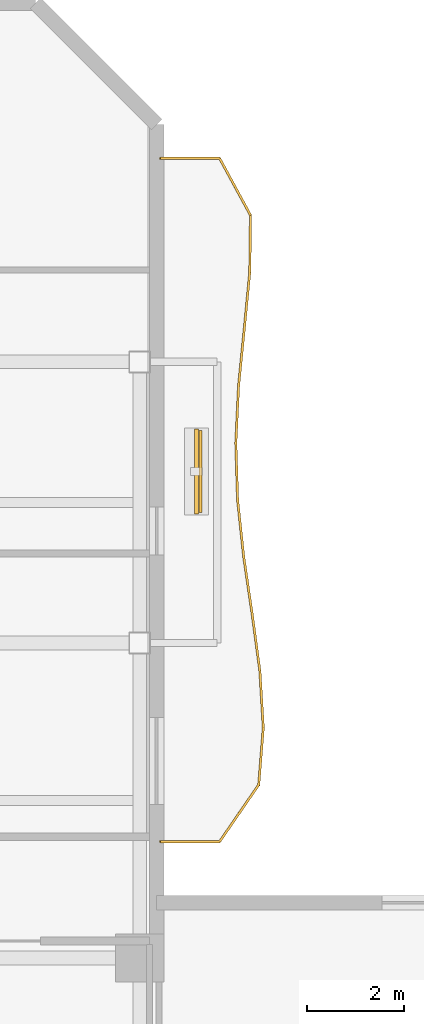
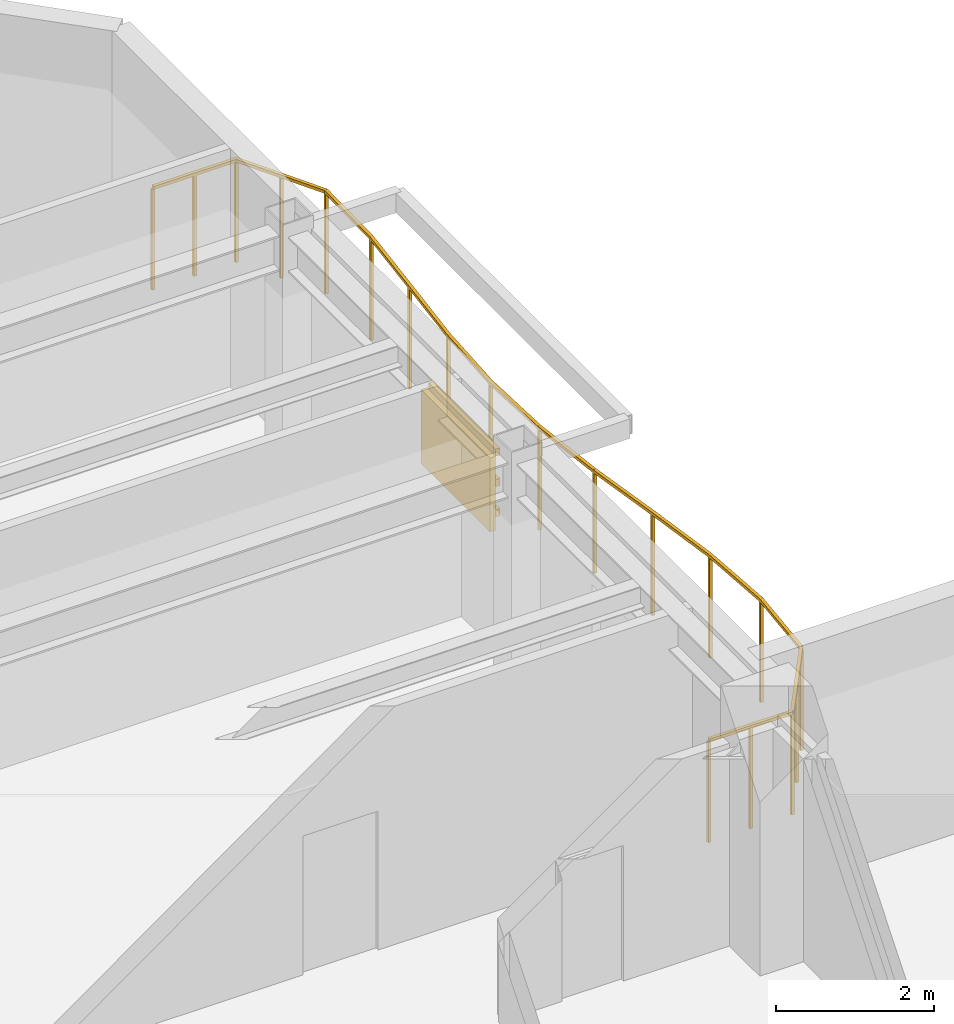
# One storey, part 9 of 9: 4 shading devices, 1 railing.
"""IFC4 building model written with IfcOpenShell, lengths in metres."""

from ifc_helpers import new_model, si_unit, direction, frame, origin, origin_2d, place, context, subcontext, project, spatial, rectangle, extrude, material, layer, layer_set, material_profile, profile_set, type_object, element, save


model = new_model("IFC4")

# Units and contexts
model_context = context("Model", 3, precision=1e-05, world=origin(), true_north=direction((0.0, 1.0)))
body_context = subcontext(model_context, "Body", "Model", "MODEL_VIEW")
ifc_project = project(units=[si_unit("LENGTHUNIT", "METRE"), si_unit("AREAUNIT", "SQUARE_METRE"), si_unit("VOLUMEUNIT", "CUBIC_METRE"), si_unit("PLANEANGLEUNIT", "RADIAN"), si_unit("MASSUNIT", "GRAM", prefix="KILO")], contexts=[model_context])

# Site, building, storey
site_placement = place(None, origin())
site = spatial("IfcSite", under=ifc_project, at=site_placement, CompositionType="ELEMENT")
building_placement = place(site_placement, origin())
building = spatial("IfcBuilding", under=site, at=building_placement, Name="Mawjaban Terraces University", CompositionType="ELEMENT")
storey_placement = place(building_placement, frame((0.0, 0.0, 175.800048828125)))
storey = spatial("IfcBuildingStorey", under=building, at=storey_placement, Name="L42", CompositionType="ELEMENT", Elevation=175.800048828125)

# Railing
ifc_material_1 = material(Name="Galvanised powder-coated steel S355", Category="steel")
railing_type = type_object("IfcRailingType", Name="BalconyBalustrade_1600", PredefinedType="BALUSTRADE", material=ifc_material_1)
railing_placement = place(storey_placement, frame((38.080078125, 25.89990234375, 0.0)))
element("IfcRailing", 1, at=railing_placement, inside=storey, type_object=railing_type, Name="L42 Balcony Guardrail inner_east", PredefinedType="BALUSTRADE", context=body_context, shape_type="SweptSolid", body=[
    extrude(rectangle(XDim=0.048095703125, YDim=0.048095703125, at=origin_2d()), frame((0.0, 0.0, 1.576171875), z_axis=(1.0, 0.0, 0.0), x_axis=(0.0, 1.0, 0.0)), (0.0, 0.0, 1.0), 1.219970703125),
    extrude(rectangle(XDim=0.048095703125, YDim=0.048095703125, at=origin_2d()), frame((1.219970703125, 0.0, 1.576171875), z_axis=(0.5665360891, 0.824036928631, 0.0), x_axis=(-0.824036928631, 0.5665360891, 0.0)), (0.0, 0.0, 1.0), 1.426025390625),
    extrude(rectangle(XDim=0.048095703125, YDim=0.048095703125, at=origin_2d()), frame((2.02783203125, 1.175048828125, 1.576171875), z_axis=(0.0797369906, 0.996815937037, 0.0), x_axis=(-0.996815937037, 0.0797369906, 0.0)), (0.0, 0.0, 1.0), 1.1787109375),
    extrude(rectangle(XDim=0.048095703125, YDim=0.048095703125, at=origin_2d()), frame((2.121826171875, 2.35009765625, 1.576171875), z_axis=(-0.060144402488, 0.998189686808, 0.0), x_axis=(-0.998189686808, -0.060144402488, 0.0)), (0.0, 0.0, 1.0), 1.17724609375),
    extrude(rectangle(XDim=0.048095703125, YDim=0.048095703125, at=origin_2d()), frame((2.051025390625, 3.525146484375, 1.576171875), z_axis=(-0.13424031214, 0.990948807253, 0.0), x_axis=(-0.990948807253, -0.13424031214, 0.0)), (0.0, 0.0, 1.0), 1.185791015625),
    extrude(rectangle(XDim=0.048095703125, YDim=0.048095703125, at=origin_2d()), frame((1.891845703125, 4.7001953125, 1.576171875), z_axis=(-0.146369849287, 0.989229936476, 0.0), x_axis=(-0.989229936476, -0.146369849287, 0.0)), (0.0, 0.0, 1.0), 1.1875),
    extrude(rectangle(XDim=0.048095703125, YDim=0.048095703125, at=origin_2d()), frame((1.718017578125, 5.875, 1.576171875), z_axis=(-0.106598772665, 0.994302117903, 0.0), x_axis=(-0.994302117903, -0.106598772665, 0.0)), (0.0, 0.0, 1.0), 1.181884765625),
    extrude(rectangle(XDim=0.048095703125, YDim=0.048095703125, at=origin_2d()), frame((1.592041015625, 7.050048828125, 1.576171875), z_axis=(-0.031565397191, 0.999501688693, 0.0), x_axis=(-0.999501688693, -0.031565397191, 0.0)), (0.0, 0.0, 1.0), 1.175537109375),
    extrude(rectangle(XDim=0.048095703125, YDim=0.048095703125, at=origin_2d()), frame((1.554931640625, 8.22509765625, 1.576171875), z_axis=(0.048353927214, 0.998830264721, 0.0), x_axis=(-0.998830264721, 0.048353927214, 0.0)), (0.0, 0.0, 1.0), 1.176513671875),
    extrude(rectangle(XDim=0.048095703125, YDim=0.048095703125, at=origin_2d()), frame((1.61181640625, 9.400146484375, 1.576171875), z_axis=(0.099237608015, 0.995063765372, 0.0), x_axis=(-0.995063765372, 0.099237608015, 0.0)), (0.0, 0.0, 1.0), 1.180908203125),
    extrude(rectangle(XDim=0.048095703125, YDim=0.048095703125, at=origin_2d()), frame((1.72900390625, 10.5751953125, 1.576171875), z_axis=(0.096595218293, 0.995323748236, 0.0), x_axis=(-0.995323748236, 0.096595218293, 0.0)), (0.0, 0.0, 1.0), 1.180419921875),
    extrude(rectangle(XDim=0.048095703125, YDim=0.048095703125, at=origin_2d()), frame((1.843017578125, 11.75, 1.576171875), z_axis=(0.012672990102, 0.999919694436, 0.0), x_axis=(-0.999919694436, 0.012672990102, 0.0)), (0.0, 0.0, 1.0), 1.175048828125),
    extrude(rectangle(XDim=0.048095703125, YDim=0.048095703125, at=origin_2d()), frame((1.85791015625, 12.925048828125, 1.576171875), z_axis=(-0.477124099002, 0.878835931304, 0.0), x_axis=(-0.878835931304, -0.477124099002, 0.0)), (0.0, 0.0, 1.0), 1.337158203125),
    extrude(rectangle(XDim=0.048095703125, YDim=0.048095703125, at=origin_2d()), frame((1.219970703125, 14.10009765625, 1.576171875), z_axis=(-1.0, 0.0, 0.0), x_axis=(0.0, -1.0, 0.0)), (0.0, 0.0, 1.0), 1.219970703125),
    extrude(rectangle(XDim=0.0419921875, YDim=0.0419921875, at=origin_2d()), origin(), (0.0, 0.0, 1.0), 1.552001953125),
    extrude(rectangle(XDim=0.0419921875, YDim=0.0419921875, at=origin_2d()), frame((0.60986328125, 0.0, 0.0)), (0.0, 0.0, 1.0), 1.552001953125),
    extrude(rectangle(XDim=0.0419921875, YDim=0.0419921875, at=origin_2d()), frame((1.219970703125, 0.0, 0.0)), (0.0, 0.0, 1.0), 1.552001953125),
    extrude(rectangle(XDim=0.0419921875, YDim=0.0419921875, at=origin_2d()), frame((1.6240234375, 0.58740234375, 0.0)), (0.0, 0.0, 1.0), 1.552001953125),
    extrude(rectangle(XDim=0.0419921875, YDim=0.0419921875, at=origin_2d()), frame((2.02783203125, 1.175048828125, 0.0)), (0.0, 0.0, 1.0), 1.552001953125),
    extrude(rectangle(XDim=0.0419921875, YDim=0.0419921875, at=origin_2d()), frame((2.121826171875, 2.35009765625, 0.0)), (0.0, 0.0, 1.0), 1.552001953125),
    extrude(rectangle(XDim=0.0419921875, YDim=0.0419921875, at=origin_2d()), frame((2.051025390625, 3.525146484375, 0.0)), (0.0, 0.0, 1.0), 1.552001953125),
    extrude(rectangle(XDim=0.0419921875, YDim=0.0419921875, at=origin_2d()), frame((1.891845703125, 4.7001953125, 0.0)), (0.0, 0.0, 1.0), 1.552001953125),
    extrude(rectangle(XDim=0.0419921875, YDim=0.0419921875, at=origin_2d()), frame((1.718017578125, 5.875, 0.0)), (0.0, 0.0, 1.0), 1.552001953125),
    extrude(rectangle(XDim=0.0419921875, YDim=0.0419921875, at=origin_2d()), frame((1.592041015625, 7.050048828125, 0.0)), (0.0, 0.0, 1.0), 1.552001953125),
    extrude(rectangle(XDim=0.0419921875, YDim=0.0419921875, at=origin_2d()), frame((1.554931640625, 8.22509765625, 0.0)), (0.0, 0.0, 1.0), 1.552001953125),
    extrude(rectangle(XDim=0.0419921875, YDim=0.0419921875, at=origin_2d()), frame((1.61181640625, 9.400146484375, 0.0)), (0.0, 0.0, 1.0), 1.552001953125),
    extrude(rectangle(XDim=0.0419921875, YDim=0.0419921875, at=origin_2d()), frame((1.72900390625, 10.5751953125, 0.0)), (0.0, 0.0, 1.0), 1.552001953125),
    extrude(rectangle(XDim=0.0419921875, YDim=0.0419921875, at=origin_2d()), frame((1.843017578125, 11.75, 0.0)), (0.0, 0.0, 1.0), 1.552001953125),
    extrude(rectangle(XDim=0.0419921875, YDim=0.0419921875, at=origin_2d()), frame((1.85791015625, 12.925048828125, 0.0)), (0.0, 0.0, 1.0), 1.552001953125),
    extrude(rectangle(XDim=0.0419921875, YDim=0.0419921875, at=origin_2d()), frame((1.5390625, 13.5126953125, 0.0)), (0.0, 0.0, 1.0), 1.552001953125),
    extrude(rectangle(XDim=0.0419921875, YDim=0.0419921875, at=origin_2d()), frame((1.219970703125, 14.10009765625, 0.0)), (0.0, 0.0, 1.0), 1.552001953125),
    extrude(rectangle(XDim=0.0419921875, YDim=0.0419921875, at=origin_2d()), frame((0.60986328125, 14.10009765625, 0.0)), (0.0, 0.0, 1.0), 1.552001953125),
    extrude(rectangle(XDim=0.0419921875, YDim=0.0419921875, at=origin_2d()), frame((0.0, 14.10009765625, 0.0)), (0.0, 0.0, 1.0), 1.552001953125),
])

# Shading devices
ifc_material_2 = material(Name="Glazed architectural terracotta ceramic", Category="masonry")
ifc_material_profile = material_profile(ifc_material_2, rectangle(XDim=0.06494140625, YDim=0.110107421875, at=origin_2d()), Name="TBAG110X65")
ifc_profile_set = profile_set([ifc_material_profile], Name="Glazed architectural terracotta ceramic")
shading_device_type_1 = type_object("IfcShadingDeviceType", Name="TerracottaBaguette_110x65", PredefinedType="USERDEFINED", material=ifc_profile_set)
for number, where, z_axis, x_axis, name in (
    (2, (38.906982421875, 32.68798828125, 0.679931640625), (0.0, 1.0, 0.0), (-1.0, 0.0, 0.0), "L42 Horizontal Terracotta Baguette inner_east.1"),
    (3, (38.906982421875, 32.68798828125, 1.14990234375), (0.0, 1.0, 0.0), (-1.0, 0.0, 0.0), "L42 Horizontal Terracotta Baguette inner_east.2"),
    (4, (38.906982421875, 32.68798828125, 1.619873046875), (0.0, 1.0, 0.0), (-1.0, 0.0, 0.0), "L42 Horizontal Terracotta Baguette inner_east.3"),
):
    element("IfcShadingDevice", number, at=place(storey_placement, frame(where, z_axis=z_axis, x_axis=x_axis)), inside=storey, type_object=shading_device_type_1, Name=name, ObjectType="BAGUETTE", PredefinedType="USERDEFINED", context=body_context, shape_type="SweptSolid", body=[
        extrude(rectangle(XDim=0.06494140625, YDim=0.110107421875, at=origin_2d()), origin(), (0.0, 0.0, 1.0), 1.699951171875),
    ])
ifc_layer = layer(ifc_material_2, 0.080078125)
ifc_layer_set = layer_set([ifc_layer], Name="Glazed architectural terracotta ceramic")
shading_device_type_2 = type_object("IfcShadingDeviceType", Name="TerracottaScreen_Perforated", PredefinedType="USERDEFINED", material=ifc_layer_set)
shading_device_placement = place(storey_placement, frame((38.822021484375, 33.5380859375, 0.43994140625), z_axis=(0.0, 0.0, 1.0), x_axis=(0.0, 1.0, 0.0)))
element("IfcShadingDevice", 5, at=shading_device_placement, inside=storey, type_object=shading_device_type_2, Name="L42 Balcony Perforated Terracotta Screen inner_east", ObjectType="SCREEN", PredefinedType="USERDEFINED", context=body_context, shape_type="SweptSolid", body=[
    extrude(rectangle(XDim=1.75, YDim=0.080078125, at=origin_2d()), origin(), (0.0, 0.0, 1.0), 1.14990234375),
])

save(model, "model.ifc")
